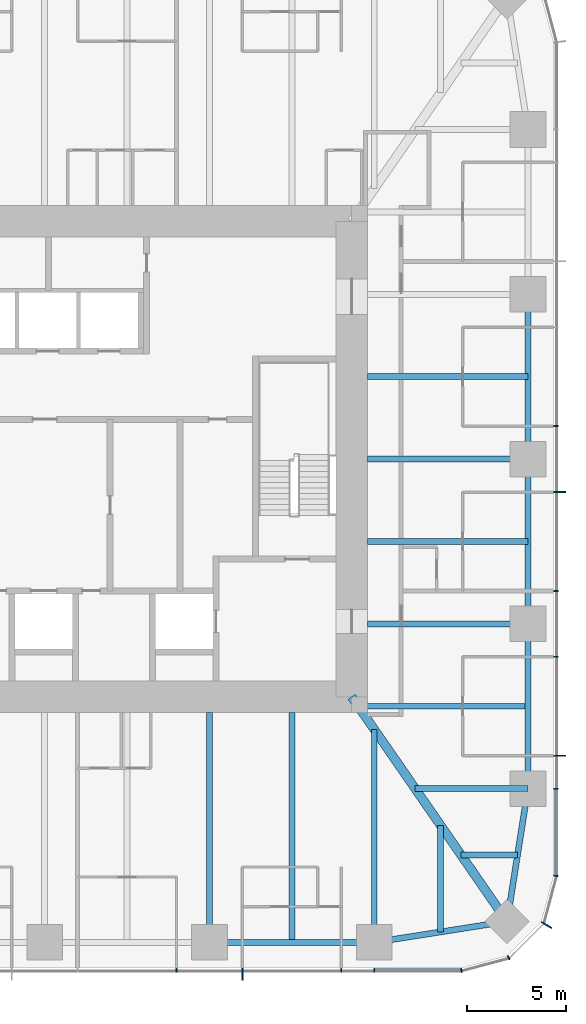
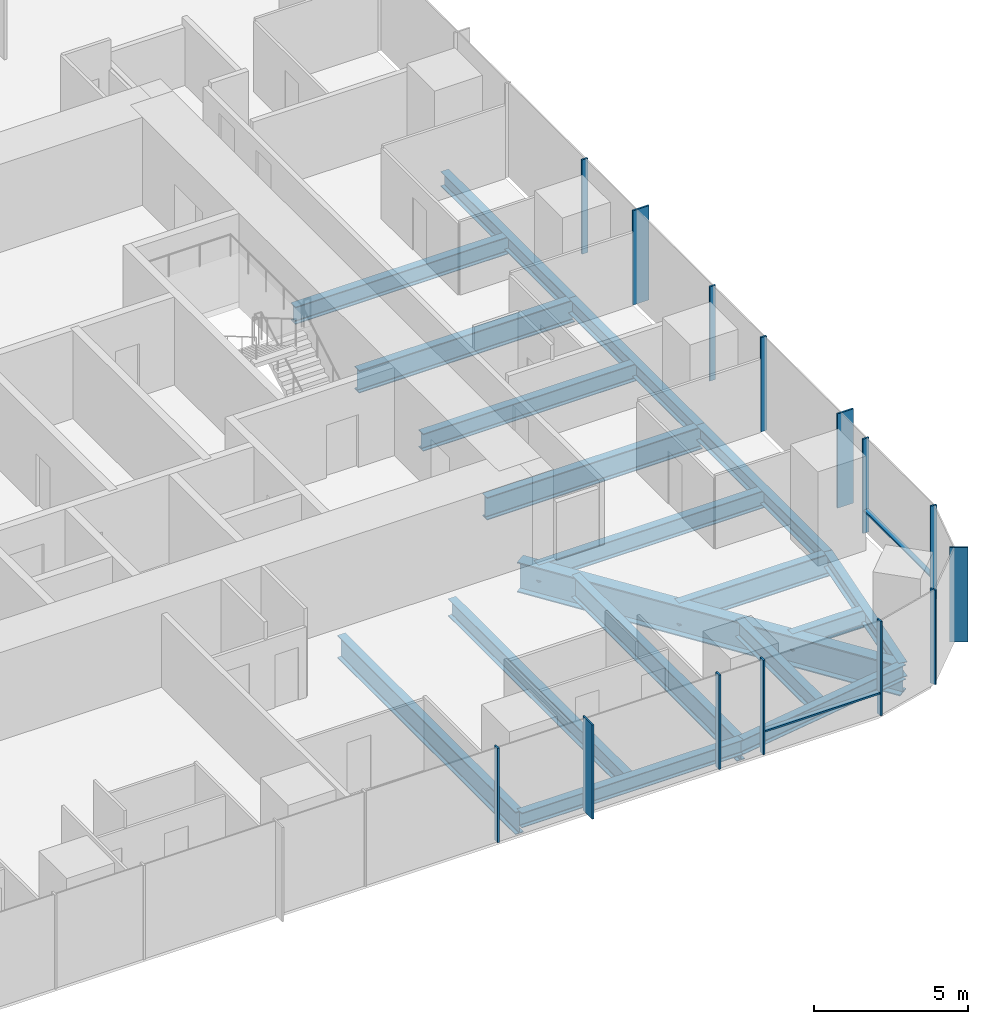
# One storey, part 4 of 13: 18 beams, 16 members, 3 elements without a shape of their own.
"""IFC4 building model written with IfcOpenShell, lengths in metres."""

from ifc_helpers import new_model, si_unit, direction, frame, origin, origin_2d, place, context, subcontext, project, spatial, rectangle, i_section, extrude, material, material_profile, profile_set, type_object, element, aggregate, save


model = new_model("IFC4")

# Units and contexts
model_context = context("Model", 3, precision=1e-05, world=origin(), true_north=direction((0.0, 1.0)))
body_context = subcontext(model_context, "Body", "Model", "MODEL_VIEW")
ifc_project = project(units=[si_unit("LENGTHUNIT", "METRE"), si_unit("AREAUNIT", "SQUARE_METRE"), si_unit("VOLUMEUNIT", "CUBIC_METRE"), si_unit("PLANEANGLEUNIT", "RADIAN"), si_unit("MASSUNIT", "GRAM", prefix="KILO")], contexts=[model_context])

# Site, building, storey
site_placement = place(None, origin())
site = spatial("IfcSite", under=ifc_project, at=site_placement, CompositionType="ELEMENT")
building_placement = place(site_placement, origin())
building = spatial("IfcBuilding", under=site, at=building_placement, Name="Khuree Lantern Residences", CompositionType="ELEMENT")
storey_placement = place(building_placement, frame((0.0, 0.0, 255.75)))
storey = spatial("IfcBuildingStorey", under=building, at=storey_placement, Name="L64", CompositionType="ELEMENT", Elevation=255.75)

# Beams
ifc_material_1 = material(Name="Steel S355", Category="steel")
ifc_material_profile_1 = material_profile(ifc_material_1, i_section(OverallWidth=0.300048828125, OverallDepth=0.68994140625, WebThickness=0.014404296875, FlangeThickness=0.027099609375, FilletRadius=0.027099609375, at=origin_2d()), Name="HE 700 A")
ifc_profile_set_1 = profile_set([ifc_material_profile_1], Name="Steel S355")
beam_type_1 = type_object("IfcBeamType", Name="B-34 SECONDARY BEAM HE 700 A", PredefinedType="BEAM", material=ifc_profile_set_1)
for number, where, z_axis, x_axis, name in (
    (1, (24.39990234375, 4.159912109375, -0.594970703125), (-1.0, 0.0, 0.0), (0.0, -1.0, 0.0), "Secondary beam E3"),
    (2, (24.39990234375, -4.159912109375, -0.594970703125), (-1.0, 0.0, 0.0), (0.0, -1.0, 0.0), "Secondary beam E4"),
):
    element("IfcBeam", number, at=place(storey_placement, frame(where, z_axis=z_axis, x_axis=x_axis)), inside=storey, type_object=beam_type_1, Name=name, PredefinedType="BEAM", context=body_context, shape_type="SweptSolid", body=[
        extrude(i_section(OverallWidth=0.300048828125, OverallDepth=0.68994140625, WebThickness=0.014404296875, FlangeThickness=0.027099609375, FilletRadius=0.027099609375, at=origin_2d()), origin(), (0.0, 0.0, 1.0), 8.099853515625),
    ])
beam_1_placement = place(storey_placement, frame((24.39990234375, -12.47998046875, -0.594970703125), z_axis=(-1.0, 0.0, 0.0), x_axis=(0.0, -1.0, 0.0)))
element("IfcBeam", 3, at=beam_1_placement, inside=storey, type_object=beam_type_1, Name="Secondary beam E5", PredefinedType="BEAM", context=body_context, shape_type="SweptSolid", body=[
    extrude(i_section(OverallWidth=0.300048828125, OverallDepth=0.68994140625, WebThickness=0.014404296875, FlangeThickness=0.027099609375, FilletRadius=0.027099609375, at=origin_2d()), origin(), (0.0, 0.0, 1.0), 8.56787109375),
])
beam_2_placement = place(storey_placement, frame((23.872802734375, -19.992919921875, -0.594970703125), z_axis=(-1.0, 0.0, 0.0), x_axis=(0.0, -1.0, 0.0)))
element("IfcBeam", 4, at=beam_2_placement, inside=storey, type_object=beam_type_1, Name="Secondary beam E6", PredefinedType="BEAM", context=body_context, shape_type="SweptSolid", body=[
    extrude(i_section(OverallWidth=0.300048828125, OverallDepth=0.68994140625, WebThickness=0.014404296875, FlangeThickness=0.027099609375, FilletRadius=0.027099609375, at=origin_2d()), origin(), (0.0, 0.0, 1.0), 2.845703125),
])
beam_3_placement = place(storey_placement, frame((19.992919921875, -23.872802734375, -0.594970703125), z_axis=(0.0, 1.0, 0.0), x_axis=(-1.0, 0.0, 0.0)))
element("IfcBeam", 5, at=beam_3_placement, inside=storey, type_object=beam_type_1, Name="Secondary beam S1", PredefinedType="BEAM", context=body_context, shape_type="SweptSolid", body=[
    extrude(i_section(OverallWidth=0.300048828125, OverallDepth=0.68994140625, WebThickness=0.014404296875, FlangeThickness=0.027099609375, FilletRadius=0.027099609375, at=origin_2d()), origin(), (0.0, 0.0, 1.0), 5.375732421875),
])
beam_4_placement = place(storey_placement, frame((12.47998046875, -24.39990234375, -0.594970703125), z_axis=(0.0, 1.0, 0.0), x_axis=(-1.0, 0.0, 0.0)))
element("IfcBeam", 6, at=beam_4_placement, inside=storey, type_object=beam_type_1, Name="Secondary beam S2", PredefinedType="BEAM", context=body_context, shape_type="SweptSolid", body=[
    extrude(i_section(OverallWidth=0.300048828125, OverallDepth=0.68994140625, WebThickness=0.014404296875, FlangeThickness=0.027099609375, FilletRadius=0.027099609375, at=origin_2d()), origin(), (0.0, 0.0, 1.0), 11.599853515625),
])
ifc_material_profile_2 = material_profile(ifc_material_1, i_section(OverallWidth=0.300048828125, OverallDepth=0.590087890625, WebThickness=0.012939453125, FlangeThickness=0.02490234375, FilletRadius=0.027099609375, at=origin_2d()), Name="HE 600 A")
ifc_profile_set_2 = profile_set([ifc_material_profile_2], Name="Steel S355")
beam_type_2 = type_object("IfcBeamType", Name="E-34 SPANDREL BEAM HE 600 A", PredefinedType="SPANDREL", material=ifc_profile_set_2)
for number, where, z_axis, x_axis, name in (
    (7, (24.39990234375, 8.320068359375, -0.544921875), (0.0, -1.0, 0.0), (1.0, 0.0, 0.0), "Spandrel beam E3"),
    (8, (24.39990234375, 0.0, -0.544921875), (0.0, -1.0, 0.0), (1.0, 0.0, 0.0), "Spandrel beam E4"),
):
    element("IfcBeam", number, at=place(storey_placement, frame(where, z_axis=z_axis, x_axis=x_axis)), inside=storey, type_object=beam_type_2, Name=name, PredefinedType="SPANDREL", context=body_context, shape_type="SweptSolid", body=[
        extrude(i_section(OverallWidth=0.300048828125, OverallDepth=0.590087890625, WebThickness=0.012939453125, FlangeThickness=0.02490234375, FilletRadius=0.027099609375, at=origin_2d()), origin(), (0.0, 0.0, 1.0), 8.320068359375),
    ])
beam_5_placement = place(storey_placement, frame((24.39990234375, -8.320068359375, -0.544921875), z_axis=(0.0, -1.0, 0.0), x_axis=(1.0, 0.0, 0.0)))
element("IfcBeam", 9, at=beam_5_placement, inside=storey, type_object=beam_type_2, Name="Spandrel beam E5", PredefinedType="SPANDREL", context=body_context, shape_type="SweptSolid", body=[
    extrude(i_section(OverallWidth=0.300048828125, OverallDepth=0.590087890625, WebThickness=0.012939453125, FlangeThickness=0.02490234375, FilletRadius=0.027099609375, at=origin_2d()), origin(), (0.0, 0.0, 1.0), 8.31982421875),
])
for number, where, z_axis, x_axis, name in (
    (10, (24.39990234375, -16.639892578125, -0.544921875), (-0.155299507442, -0.98786743189, 0.0), (0.98786743189, -0.155299507442, 0.0), "Spandrel beam E6"),
    (11, (23.345703125, -23.345703125, -0.544921875), (-0.98786743189, -0.155299507442, 0.0), (0.155299507442, -0.98786743189, 0.0), "Spandrel beam S1"),
):
    element("IfcBeam", number, at=place(storey_placement, frame(where, z_axis=z_axis, x_axis=x_axis)), inside=storey, type_object=beam_type_2, Name=name, PredefinedType="SPANDREL", context=body_context, shape_type="SweptSolid", body=[
        extrude(i_section(OverallWidth=0.300048828125, OverallDepth=0.590087890625, WebThickness=0.012939453125, FlangeThickness=0.02490234375, FilletRadius=0.027099609375, at=origin_2d()), origin(), (0.0, 0.0, 1.0), 6.7880859375),
    ])
beam_6_placement = place(storey_placement, frame((16.639892578125, -24.39990234375, -0.544921875), z_axis=(-1.0, 0.0, 0.0), x_axis=(0.0, -1.0, 0.0)))
element("IfcBeam", 12, at=beam_6_placement, inside=storey, type_object=beam_type_2, Name="Spandrel beam S2", PredefinedType="SPANDREL", context=body_context, shape_type="SweptSolid", body=[
    extrude(i_section(OverallWidth=0.300048828125, OverallDepth=0.590087890625, WebThickness=0.012939453125, FlangeThickness=0.02490234375, FilletRadius=0.027099609375, at=origin_2d()), origin(), (0.0, 0.0, 1.0), 8.31982421875),
])

# Curtain wall, member
ifc_material_2 = material(Name="Bronze anodised aluminium", Category="aluminium")
curtain_wall_type_1 = type_object("IfcCurtainWallType", Name="CW-T2 TOWER CORNER CURTAIN WALL", PredefinedType="USERDEFINED", material=ifc_material_2)
curtain_wall_1_placement = place(storey_placement, origin())
curtain_wall_1 = element("IfcCurtainWall", 13, at=curtain_wall_1_placement, inside=storey, type_object=curtain_wall_type_1, Name="L64 SOUTH-EAST CORNER CURTAIN WALL", ObjectType="Faceted corner curtain wall", PredefinedType="USERDEFINED")
ifc_material_profile_3 = material_profile(ifc_material_2, rectangle(XDim=0.06494140625, YDim=0.60009765625, at=origin_2d()), Name="F1 65X600")
ifc_profile_set_3 = profile_set([ifc_material_profile_3], Name="Bronze anodised aluminium")
member_type_1 = type_object("IfcMemberType", Name="F1 BRONZE FIN MULLION TOWER 65X600", PredefinedType="MULLION", material=ifc_profile_set_3)
member_1_placement = place(storey_placement, frame((25.3369140625, -23.52490234375, 0.0), z_axis=(0.0, 0.0, 1.0), x_axis=(0.499999989586, 0.866025409797, 0.0)))
member_1 = element("IfcMember", 14, at=member_1_placement, type_object=member_type_1, Name="L64 SOUTH-EAST CORNER FIN MULLION 3", PredefinedType="MULLION", context=body_context, shape_type="SweptSolid", body=[
    extrude(rectangle(XDim=0.06494140625, YDim=0.60009765625, at=origin_2d()), origin(), (0.0, 0.0, 1.0), 3.75),
])

# Curtain wall, members
curtain_wall_type_2 = type_object("IfcCurtainWallType", Name="CW-T1 TOWER FACE CURTAIN WALL", PredefinedType="USERDEFINED", material=ifc_material_2)
curtain_wall_2_placement = place(storey_placement, origin())
curtain_wall_2 = element("IfcCurtainWall", 15, at=curtain_wall_2_placement, inside=storey, type_object=curtain_wall_type_2, Name="L64 EAST FACE CURTAIN WALL", ObjectType="Stick-built curtain wall", PredefinedType="USERDEFINED")
member_2_placement = place(storey_placement, frame((26.0, -14.97607421875, 0.0), z_axis=(0.0, 0.0, 1.0), x_axis=(0.0, 1.0, 0.0)))
member_2 = element("IfcMember", 16, at=member_2_placement, type_object=member_type_1, Name="L64 EAST FACE FIN MULLION 6", PredefinedType="MULLION", context=body_context, shape_type="SweptSolid", body=[
    extrude(rectangle(XDim=0.06494140625, YDim=0.60009765625, at=origin_2d()), origin(), (0.0, 0.0, 1.0), 3.75),
])
member_3_placement = place(storey_placement, frame((26.0, -1.6640625, 0.0), z_axis=(0.0, 0.0, 1.0), x_axis=(0.0, 1.0, 0.0)))
member_3 = element("IfcMember", 17, at=member_3_placement, type_object=member_type_1, Name="L64 EAST FACE FIN MULLION 9", PredefinedType="MULLION", context=body_context, shape_type="SweptSolid", body=[
    extrude(rectangle(XDim=0.06494140625, YDim=0.60009765625, at=origin_2d()), origin(), (0.0, 0.0, 1.0), 3.75),
])

# Curtain wall, member
curtain_wall_3_placement = place(storey_placement, origin())
curtain_wall_3 = element("IfcCurtainWall", 18, at=curtain_wall_3_placement, inside=storey, type_object=curtain_wall_type_2, Name="L64 SOUTH FACE CURTAIN WALL", ObjectType="Stick-built curtain wall", PredefinedType="USERDEFINED")
member_4_placement = place(storey_placement, frame((9.98388671875, -26.0, 0.0), z_axis=(0.0, 0.0, 1.0), x_axis=(1.0, 0.0, 0.0)))
member_4 = element("IfcMember", 19, at=member_4_placement, type_object=member_type_1, Name="L64 SOUTH FACE FIN MULLION 54", PredefinedType="MULLION", context=body_context, shape_type="SweptSolid", body=[
    extrude(rectangle(XDim=0.06494140625, YDim=0.60009765625, at=origin_2d()), origin(), (0.0, 0.0, 1.0), 3.75),
])

# Beams
ifc_material_profile_4 = material_profile(ifc_material_1, i_section(OverallWidth=0.300048828125, OverallDepth=0.89990234375, WebThickness=0.0185546875, FlangeThickness=0.034912109375, FilletRadius=0.030029296875, at=origin_2d()), Name="HE 900 B")
ifc_profile_set_4 = profile_set([ifc_material_profile_4], Name="Steel S355")
beam_type_3 = type_object("IfcBeamType", Name="G-34 GIRDER HE 900 B", PredefinedType="BEAM", material=ifc_profile_set_4)
for number, where, z_axis, x_axis, name in (
    (20, (24.39990234375, 0.0, -0.699951171875), (-1.0, 0.0, 0.0), (0.0, -1.0, 0.0), "Girder E3"),
    (21, (24.39990234375, -8.320068359375, -0.699951171875), (-1.0, 0.0, 0.0), (0.0, -1.0, 0.0), "Girder E4"),
):
    element("IfcBeam", number, at=place(storey_placement, frame(where, z_axis=z_axis, x_axis=x_axis)), inside=storey, type_object=beam_type_3, Name=name, PredefinedType="BEAM", context=body_context, shape_type="SweptSolid", body=[
        extrude(i_section(OverallWidth=0.300048828125, OverallDepth=0.89990234375, WebThickness=0.0185546875, FlangeThickness=0.034912109375, FilletRadius=0.030029296875, at=origin_2d()), origin(), (0.0, 0.0, 1.0), 8.099853515625),
    ])
beam_7_placement = place(storey_placement, frame((24.39990234375, -16.639892578125, -0.699951171875), z_axis=(-1.0, 0.0, 0.0), x_axis=(0.0, -1.0, 0.0)))
element("IfcBeam", 22, at=beam_7_placement, inside=storey, type_object=beam_type_3, Name="Girder E5", PredefinedType="BEAM", context=body_context, shape_type="SweptSolid", body=[
    extrude(i_section(OverallWidth=0.300048828125, OverallDepth=0.89990234375, WebThickness=0.0185546875, FlangeThickness=0.034912109375, FilletRadius=0.030029296875, at=origin_2d()), origin(), (0.0, 0.0, 1.0), 5.69140625),
])
beam_8_placement = place(storey_placement, frame((16.639892578125, -24.39990234375, -0.699951171875), z_axis=(0.0, 1.0, 0.0), x_axis=(-1.0, 0.0, 0.0)))
element("IfcBeam", 23, at=beam_8_placement, inside=storey, type_object=beam_type_3, Name="Girder S1", PredefinedType="BEAM", context=body_context, shape_type="SweptSolid", body=[
    extrude(i_section(OverallWidth=0.300048828125, OverallDepth=0.89990234375, WebThickness=0.0185546875, FlangeThickness=0.034912109375, FilletRadius=0.030029296875, at=origin_2d()), origin(), (0.0, 0.0, 1.0), 10.751220703125),
])
beam_9_placement = place(storey_placement, frame((8.320068359375, -24.39990234375, -0.699951171875), z_axis=(0.0, 1.0, 0.0), x_axis=(-1.0, 0.0, 0.0)))
element("IfcBeam", 24, at=beam_9_placement, inside=storey, type_object=beam_type_3, Name="Girder S2", PredefinedType="BEAM", context=body_context, shape_type="SweptSolid", body=[
    extrude(i_section(OverallWidth=0.300048828125, OverallDepth=0.89990234375, WebThickness=0.0185546875, FlangeThickness=0.034912109375, FilletRadius=0.030029296875, at=origin_2d()), origin(), (0.0, 0.0, 1.0), 11.599853515625),
])
ifc_material_profile_5 = material_profile(ifc_material_1, i_section(OverallWidth=0.449951171875, OverallDepth=1.199951171875, WebThickness=0.02490234375, FlangeThickness=0.044921875, at=origin_2d()), Name="WELDED I 1200X450X25X45")
ifc_profile_set_5 = profile_set([ifc_material_profile_5], Name="Steel S355")
beam_type_4 = type_object("IfcBeamType", Name="GD-34 CORNER GIRDER WELDED I 1200X450X25X45", PredefinedType="BEAM", material=ifc_profile_set_5)
beam_10_placement = place(storey_placement, frame((23.345703125, -23.345703125, -0.85009765625), z_axis=(-0.56876813501, 0.822497907959, 0.0), x_axis=(-0.822497907959, -0.56876813501, 0.0)))
element("IfcBeam", 25, at=beam_10_placement, inside=storey, type_object=beam_type_4, Name="Corner girder SE", PredefinedType="BEAM", context=body_context, shape_type="SweptSolid", body=[
    extrude(i_section(OverallWidth=0.449951171875, OverallDepth=1.199951171875, WebThickness=0.02490234375, FlangeThickness=0.044921875, at=origin_2d()), origin(), (0.0, 0.0, 1.0), 13.794189453125),
])

# Member
ifc_material_profile_6 = material_profile(ifc_material_2, rectangle(XDim=0.06494140625, YDim=0.219970703125, at=origin_2d()), Name="M1 65X220")
ifc_profile_set_6 = profile_set([ifc_material_profile_6], Name="Bronze anodised aluminium")
member_type_2 = type_object("IfcMemberType", Name="M1 BRONZE MULLION TOWER 65X220", PredefinedType="MULLION", material=ifc_profile_set_6)
member_5_placement = place(storey_placement, frame((21.044921875, -25.811767578125, 0.0), z_axis=(0.0, 0.0, 1.0), x_axis=(0.991444862943, 0.130526180298, 0.0)))
member_5 = element("IfcMember", 26, at=member_5_placement, type_object=member_type_2, Name="L64 SOUTH-EAST CORNER MULLION 1", PredefinedType="MULLION", context=body_context, shape_type="SweptSolid", body=[
    extrude(rectangle(XDim=0.06494140625, YDim=0.219970703125, at=origin_2d()), origin(), (0.0, 0.0, 1.0), 3.75),
])

member_6_placement = place(storey_placement, frame((23.429931640625, -25.17236328125, 0.0), z_axis=(0.0, 0.0, 1.0), x_axis=(0.866025409797, 0.499999989586, 0.0)))
member_6 = element("IfcMember", 27, at=member_6_placement, type_object=member_type_2, Name="L64 SOUTH-EAST CORNER MULLION 2", PredefinedType="MULLION", context=body_context, shape_type="SweptSolid", body=[
    extrude(rectangle(XDim=0.06494140625, YDim=0.219970703125, at=origin_2d()), origin(), (0.0, 0.0, 1.0), 3.75),
])

aggregate(curtain_wall_1, [member_5, member_6, member_1])

member_7_placement = place(storey_placement, frame((25.811767578125, -21.044921875, 0.0), z_axis=(0.0, 0.0, 1.0), x_axis=(0.130526180298, 0.991444862943, 0.0)))
member_7 = element("IfcMember", 28, at=member_7_placement, type_object=member_type_2, Name="L64 EAST FACE MULLION 4", PredefinedType="MULLION", context=body_context, shape_type="SweptSolid", body=[
    extrude(rectangle(XDim=0.06494140625, YDim=0.219970703125, at=origin_2d()), origin(), (0.0, 0.0, 1.0), 3.75),
])

member_8_placement = place(storey_placement, frame((25.81005859375, -16.639892578125, 0.0), z_axis=(0.0, 0.0, 1.0), x_axis=(0.0, 1.0, 0.0)))
member_8 = element("IfcMember", 29, at=member_8_placement, type_object=member_type_2, Name="L64 EAST FACE MULLION 5", PredefinedType="MULLION", context=body_context, shape_type="SweptSolid", body=[
    extrude(rectangle(XDim=0.06494140625, YDim=0.219970703125, at=origin_2d()), origin(), (0.0, 0.0, 1.0), 3.75),
])

member_9_placement = place(storey_placement, frame((25.81005859375, -9.98388671875, 0.0), z_axis=(0.0, 0.0, 1.0), x_axis=(0.0, 1.0, 0.0)))
member_9 = element("IfcMember", 30, at=member_9_placement, type_object=member_type_2, Name="L64 EAST FACE MULLION 7", PredefinedType="MULLION", context=body_context, shape_type="SweptSolid", body=[
    extrude(rectangle(XDim=0.06494140625, YDim=0.219970703125, at=origin_2d()), origin(), (0.0, 0.0, 1.0), 3.75),
])

member_10_placement = place(storey_placement, frame((25.81005859375, -6.656005859375, 0.0), z_axis=(0.0, 0.0, 1.0), x_axis=(0.0, 1.0, 0.0)))
member_10 = element("IfcMember", 31, at=member_10_placement, type_object=member_type_2, Name="L64 EAST FACE MULLION 8", PredefinedType="MULLION", context=body_context, shape_type="SweptSolid", body=[
    extrude(rectangle(XDim=0.06494140625, YDim=0.219970703125, at=origin_2d()), origin(), (0.0, 0.0, 1.0), 3.75),
])

member_11_placement = place(storey_placement, frame((25.81005859375, 1.6640625, 0.0), z_axis=(0.0, 0.0, 1.0), x_axis=(0.0, 1.0, 0.0)))
member_11 = element("IfcMember", 32, at=member_11_placement, type_object=member_type_2, Name="L64 EAST FACE MULLION 10", PredefinedType="MULLION", context=body_context, shape_type="SweptSolid", body=[
    extrude(rectangle(XDim=0.06494140625, YDim=0.219970703125, at=origin_2d()), origin(), (0.0, 0.0, 1.0), 3.75),
])

member_12_placement = place(storey_placement, frame((6.656005859375, -25.81005859375, 0.0), z_axis=(0.0, 0.0, 1.0), x_axis=(1.0, 0.0, 0.0)))
member_12 = element("IfcMember", 33, at=member_12_placement, type_object=member_type_2, Name="L64 SOUTH FACE MULLION 53", PredefinedType="MULLION", context=body_context, shape_type="SweptSolid", body=[
    extrude(rectangle(XDim=0.06494140625, YDim=0.219970703125, at=origin_2d()), origin(), (0.0, 0.0, 1.0), 3.75),
])

member_13_placement = place(storey_placement, frame((14.97607421875, -25.81005859375, 0.0), z_axis=(0.0, 0.0, 1.0), x_axis=(1.0, 0.0, 0.0)))
member_13 = element("IfcMember", 34, at=member_13_placement, type_object=member_type_2, Name="L64 SOUTH FACE MULLION 55", PredefinedType="MULLION", context=body_context, shape_type="SweptSolid", body=[
    extrude(rectangle(XDim=0.06494140625, YDim=0.219970703125, at=origin_2d()), origin(), (0.0, 0.0, 1.0), 3.75),
])

member_14_placement = place(storey_placement, frame((16.639892578125, -25.81005859375, 0.0), z_axis=(0.0, 0.0, 1.0), x_axis=(1.0, 0.0, 0.0)))
member_14 = element("IfcMember", 35, at=member_14_placement, type_object=member_type_2, Name="L64 SOUTH FACE MULLION 56", PredefinedType="MULLION", context=body_context, shape_type="SweptSolid", body=[
    extrude(rectangle(XDim=0.06494140625, YDim=0.219970703125, at=origin_2d()), origin(), (0.0, 0.0, 1.0), 3.75),
])

ifc_material_profile_7 = material_profile(ifc_material_2, rectangle(XDim=0.179931640625, YDim=0.06494140625, at=origin_2d()), Name="T1 180X65")
ifc_profile_set_7 = profile_set([ifc_material_profile_7], Name="Bronze anodised aluminium")
member_type_3 = type_object("IfcMemberType", Name="TRANSOM T1 TOWER 180X65", PredefinedType="USERDEFINED", material=ifc_profile_set_7)
member_15_placement = place(storey_placement, frame((25.820068359375, -21.00146484375, 0.89990234375), z_axis=(0.0, 1.0, 0.0), x_axis=(-1.0, 0.0, 0.0)))
member_15 = element("IfcMember", 36, at=member_15_placement, type_object=member_type_3, Name="L64 EAST FACE TRANSOM 4.1", ObjectType="Transom", PredefinedType="USERDEFINED", context=body_context, shape_type="SweptSolid", body=[
    extrude(rectangle(XDim=0.179931640625, YDim=0.06494140625, at=origin_2d()), origin(), (0.0, 0.0, 1.0), 4.328857421875),
])

aggregate(curtain_wall_2, [member_7, member_8, member_2, member_9, member_10, member_3, member_11, member_15])

member_16_placement = place(storey_placement, frame((16.672607421875, -25.820068359375, 0.89990234375), z_axis=(1.0, 0.0, 0.0), x_axis=(0.0, 1.0, 0.0)))
member_16 = element("IfcMember", 37, at=member_16_placement, type_object=member_type_3, Name="L64 SOUTH FACE TRANSOM 56.1", ObjectType="Transom", PredefinedType="USERDEFINED", context=body_context, shape_type="SweptSolid", body=[
    extrude(rectangle(XDim=0.179931640625, YDim=0.06494140625, at=origin_2d()), origin(), (0.0, 0.0, 1.0), 4.328857421875),
])

aggregate(curtain_wall_3, [member_12, member_4, member_13, member_14, member_16])

save(model, "model.ifc")
